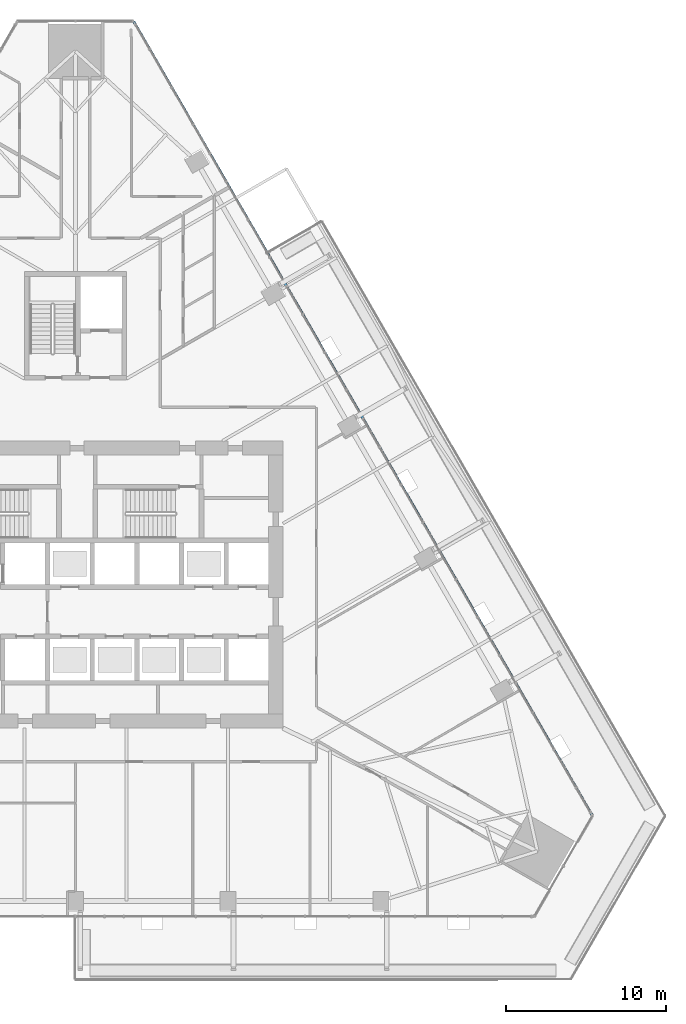
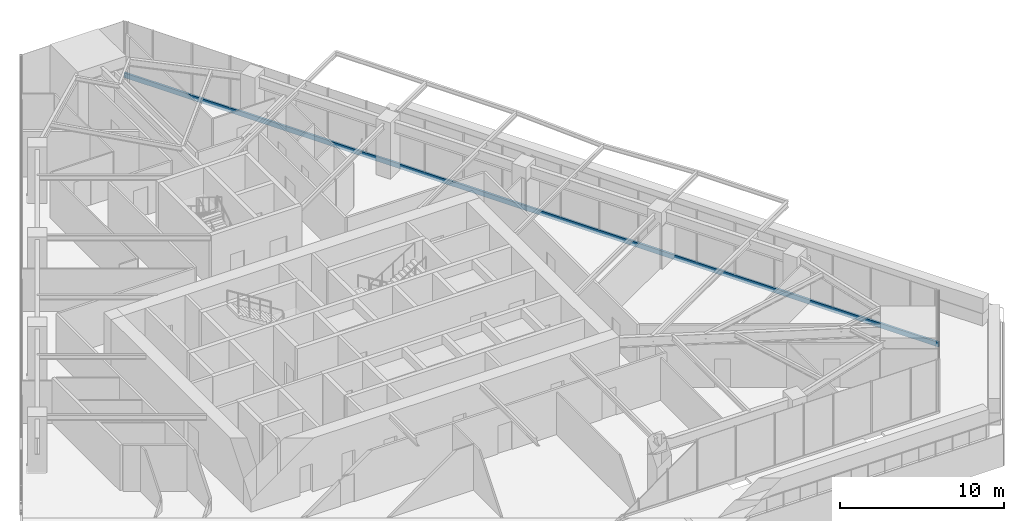
# One storey, part 10 of 29: 1 member, 1 element without a shape of its own.
"""IFC4 building model written with IfcOpenShell, lengths in metres."""

import ifcopenshell
import ifcopenshell.guid

model = None  # the IFC model being written
_history = None  # IfcOwnerHistory: only IFC2X3 demands one
_inside = {}  # id of a spatial element -> (the spatial element, [elements in it])
_under = {}  # id of a project, library or spatial element -> (it, [spatial elements below it])
_declared = {}  # id of a project -> (the project, [libraries it declares])
_typed = {}  # id of a type object -> (the type object, [elements of that type])
_made_of = {}  # id of a material, layer set ... -> (it, [elements and type objects made of it])


def new_model(schema):
    """Start an empty IFC model of exactly this schema.

    Asked for "IFC4X3", IfcOpenShell would pick the latest addendum, in which some entities
    have other attributes; the version numbers below select the first issue.
    IFC2X3 requires an IfcOwnerHistory on every rooted entity: one is made here for all.
    """
    global model, _history
    if schema == "IFC4X3":
        model = ifcopenshell.file(schema_version=(4, 3, 0, 0))
    else:
        model = ifcopenshell.file(schema=schema)
    _inside.clear()
    _under.clear()
    _declared.clear()
    _typed.clear()
    _made_of.clear()
    _history = None
    if model.schema == "IFC2X3":
        org = make("IfcOrganization", Name="unknown")
        user = make(
            "IfcPersonAndOrganization",
            ThePerson=make("IfcPerson", FamilyName="unknown"),
            TheOrganization=org,
        )
        app = make(
            "IfcApplication",
            ApplicationDeveloper=org,
            Version="unknown",
            ApplicationFullName="unknown",
            ApplicationIdentifier="unknown",
        )
        _history = make(
            "IfcOwnerHistory",
            OwningUser=user,
            OwningApplication=app,
            ChangeAction="ADDED",
            CreationDate=0,
        )
    return model


def make(cls, **values):
    """One entity of the class cls with the attributes given. An attribute that is None is left unset."""
    return model.create_entity(
        cls, **{name: value for name, value in values.items() if value is not None}
    )


def rooted(cls, **values):
    """An entity with a GlobalId (a new one), such as an element, a storey or a relation."""
    return make(cls, GlobalId=ifcopenshell.guid.new(), OwnerHistory=_history, **values)


def si_unit(unit_type, name, prefix=None):
    """IfcSIUnit, for example si_unit("LENGTHUNIT", "METRE", prefix="MILLI")."""
    return make("IfcSIUnit", UnitType=unit_type, Prefix=prefix, Name=name)


def assignment(units):
    """IfcUnitAssignment: the units of a project."""
    return None if units is None else make("IfcUnitAssignment", Units=units)


def point(xyz):
    """IfcCartesianPoint."""
    return None if xyz is None else make("IfcCartesianPoint", Coordinates=xyz)


def direction(xyz):
    """IfcDirection."""
    return None if xyz is None else make("IfcDirection", DirectionRatios=xyz)


def frame(location, z_axis=None, x_axis=None):
    """IfcAxis2Placement3D, a coordinate frame: its origin and axes. An axis left out is left unset."""
    return make(
        "IfcAxis2Placement3D",
        Location=point(location),
        Axis=direction(z_axis),
        RefDirection=direction(x_axis),
    )


def frame_2d(location, x_axis=None):
    """IfcAxis2Placement2D, a coordinate frame in the plane: its origin and x axis."""
    return make(
        "IfcAxis2Placement2D", Location=point(location), RefDirection=direction(x_axis)
    )


def origin():
    """The frame at (0, 0, 0) with its axes left unset."""
    return frame((0.0, 0.0, 0.0))


def origin_2d():
    """The frame at (0, 0) in the plane with its x axis left unset."""
    return frame_2d((0.0, 0.0))


def place(relative_to, where):
    """IfcLocalPlacement: puts the frame where relative to a parent placement (None: the world)."""
    return make(
        "IfcLocalPlacement", PlacementRelTo=relative_to, RelativePlacement=where
    )


def context(
    kind, dimensions, precision=None, world=None, true_north=None, identifier=None
):
    """IfcGeometricRepresentationContext, for example the 3D "Model" context."""
    return make(
        "IfcGeometricRepresentationContext",
        ContextIdentifier=identifier,
        ContextType=kind,
        CoordinateSpaceDimension=dimensions,
        Precision=precision,
        WorldCoordinateSystem=world,
        TrueNorth=true_north,
    )


def subcontext(parent, identifier, kind, view, scale=None):
    """IfcGeometricRepresentationSubContext, for example "Body" below "Model"."""
    return make(
        "IfcGeometricRepresentationSubContext",
        ContextIdentifier=identifier,
        ContextType=kind,
        ParentContext=parent,
        TargetScale=scale,
        TargetView=view,
    )


def project(units=None, contexts=None):
    """IfcProject with its units and contexts."""
    return rooted(
        "IfcProject",
        Name="project",
        RepresentationContexts=contexts,
        UnitsInContext=assignment(units),
    )


def spatial(cls, under=None, at=None, **own):
    """A site, building, storey or space (cls), placed at a placement, below another one or the project."""
    s = rooted(cls, ObjectPlacement=at, **own)
    if under is not None:
        _under.setdefault(under.id(), (under, []))[1].append(s)
    return s


def profile(cls, at=None, kind="AREA", **sizes):
    """A parametric profile (cls). Its sizes go by their IFC names, for example OverallWidth=200.0."""
    return make(cls, ProfileType=kind, Position=at, **sizes)


def rectangle(**sizes):
    """IfcRectangleProfileDef."""
    return profile("IfcRectangleProfileDef", **sizes)


def extrude(swept, where, along, depth):
    """IfcExtrudedAreaSolid: the profile swept, set in the frame where, extruded along a direction by depth."""
    return make(
        "IfcExtrudedAreaSolid",
        SweptArea=swept,
        Position=where,
        ExtrudedDirection=direction(along),
        Depth=depth,
    )


def shape(context_of_items, identifier, shape_type, items):
    """IfcShapeRepresentation: the items that make up one representation, for example the "Body"."""
    return make(
        "IfcShapeRepresentation",
        ContextOfItems=context_of_items,
        RepresentationIdentifier=identifier,
        RepresentationType=shape_type,
        Items=items,
    )


def material(Name=None, Category=None):
    """IfcMaterial."""
    return make("IfcMaterial", Name=Name, Category=Category)


def layer(
    of_material, thickness, ventilated=None, Name=None, Category=None, Priority=None
):
    """IfcMaterialLayer: one layer of a wall or slab, of a material (None: an air gap)."""
    return make(
        "IfcMaterialLayer",
        Material=of_material,
        LayerThickness=thickness,
        IsVentilated=ventilated,
        Name=Name,
        Category=Category,
        Priority=Priority,
    )


def layer_set(layers, Name=None):
    """IfcMaterialLayerSet."""
    return make("IfcMaterialLayerSet", MaterialLayers=layers, LayerSetName=Name)


def material_profile(
    of_material, cross_section, Name=None, Category=None, Priority=None
):
    """IfcMaterialProfile: a cross section and its material."""
    return make(
        "IfcMaterialProfile",
        Name=Name,
        Material=of_material,
        Profile=cross_section,
        Priority=Priority,
        Category=Category,
    )


def profile_set(profiles, Name=None, composite=None):
    """IfcMaterialProfileSet."""
    return make(
        "IfcMaterialProfileSet",
        Name=Name,
        MaterialProfiles=profiles,
        CompositeProfile=composite,
    )


def made_of(thing, what):
    """Note that an element or type object is made of a material, layer set ...; save() writes the relation."""
    if what is not None:
        _made_of.setdefault(what.id(), (what, []))[1].append(thing)
    return thing


def type_object(cls, material=None, **own):
    """A type object (cls), such as IfcWallType, which elements share."""
    return made_of(rooted(cls, **own), material)


def element(
    cls,
    number,
    at=None,
    inside=None,
    cuts=None,
    type_object=None,
    material=None,
    context=None,
    identifier="Body",
    shape_type=None,
    held_by="IfcProductDefinitionShape",
    body=None,
    shapes=None,
    **own,
):
    """One element of the class cls, such as IfcWall. Its Tag is "e" and its number.

    at: its placement. inside: the storey or other place that contains it. cuts: it is an
    opening in that element (IfcRelVoidsElement). A single representation is given by context,
    identifier, shape_type and body (its items); several are given by shapes. held_by: the class
    of the entity that holds the representations. save() writes the other relations.
    """
    e = rooted(cls, Tag="e%d" % number, ObjectPlacement=at, **own)
    if body is not None:
        shapes = [shape(context, identifier, shape_type, body)]
    if shapes is not None:
        e.Representation = make(held_by, Representations=shapes)
    if inside is not None:
        _inside.setdefault(inside.id(), (inside, []))[1].append(e)
    if cuts is not None:
        rooted(
            "IfcRelVoidsElement", RelatingBuildingElement=cuts, RelatedOpeningElement=e
        )
    if type_object is not None:
        _typed.setdefault(type_object.id(), (type_object, []))[1].append(e)
    return made_of(e, material)


def aggregate(whole, parts):
    """IfcRelAggregates: a whole, such as a stair, and the parts it consists of."""
    return rooted("IfcRelAggregates", RelatingObject=whole, RelatedObjects=parts)


def save(model, path):
    """Write the relations noted so far, then the file.

    IfcRelAggregates (storeys below a building ...), IfcRelContainedInSpatialStructure (elements
    in a storey), IfcRelDefinesByType, IfcRelAssociatesMaterial and IfcRelDeclares: one each for
    every whole, place, type object, material and project.
    """
    for whole, parts in _under.values():
        aggregate(whole, parts)
    for where, things in _inside.values():
        rooted(
            "IfcRelContainedInSpatialStructure",
            RelatedElements=things,
            RelatingStructure=where,
        )
    for kind, things in _typed.values():
        rooted("IfcRelDefinesByType", RelatedObjects=things, RelatingType=kind)
    for what, things in _made_of.values():
        rooted("IfcRelAssociatesMaterial", RelatedObjects=things, RelatingMaterial=what)
    for by, libraries in _declared.values():
        rooted("IfcRelDeclares", RelatingContext=by, RelatedDefinitions=libraries)
    model.write(path)


model = new_model("IFC4")

# Units and contexts
model_context = context("Model", 3, precision=1e-05, world=origin(), true_north=direction((0.0, 1.0)))
body_context = subcontext(model_context, "Body", "Model", "MODEL_VIEW")
ifc_project = project(units=[si_unit("LENGTHUNIT", "METRE"), si_unit("AREAUNIT", "SQUARE_METRE"), si_unit("VOLUMEUNIT", "CUBIC_METRE"), si_unit("PLANEANGLEUNIT", "RADIAN"), si_unit("MASSUNIT", "GRAM", prefix="KILO")], contexts=[model_context])

# Site, building, storey
site_placement = place(None, origin())
site = spatial("IfcSite", under=ifc_project, at=site_placement, CompositionType="ELEMENT")
building_placement = place(site_placement, origin())
building = spatial("IfcBuilding", under=site, at=building_placement, Name="Firuza Gate Tower and Library", CompositionType="ELEMENT")
storey_placement = place(building_placement, frame((0.0, 0.0, 48.39990234375)))
storey = spatial("IfcBuildingStorey", under=building, at=storey_placement, Name="L10", CompositionType="ELEMENT", Elevation=48.39990234375)

# Curtain wall, member
ifc_material_1 = material(Name="Aluminium 6063-T6", Category="aluminium")
ifc_layer = layer(ifc_material_1, 0.14990234375)
ifc_layer_set = layer_set([ifc_layer], Name="Unitised curtain wall, offices")
curtain_wall_type = type_object("IfcCurtainWallType", Name="Unitised curtain wall, offices", PredefinedType="NOTDEFINED", material=ifc_layer_set)
curtain_wall_placement = place(storey_placement, origin())
curtain_wall = element("IfcCurtainWall", 1, at=curtain_wall_placement, inside=storey, type_object=curtain_wall_type, Name="CW1 L10 E face", PredefinedType="NOTDEFINED")
ifc_material_2 = material(Name="Aluminium 6063-T6", Category="aluminium")
ifc_material_profile = material_profile(ifc_material_2, rectangle(XDim=0.14990234375, YDim=0.35009765625, at=origin_2d()))
ifc_profile_set = profile_set([ifc_material_profile], Name="Aluminium 6063-T6")
member_type = type_object("IfcMemberType", Name="Curtain wall transom 350x150", PredefinedType="USERDEFINED", material=ifc_profile_set)
member_placement = place(storey_placement, frame((107.38818359375, 60.507568359375, -0.02490234375), z_axis=(-0.499998032478, 0.866026539731, 0.0), x_axis=(-0.866026539731, -0.499998032478, 0.0)))
member = element("IfcMember", 2, at=member_placement, type_object=member_type, Name="Transom", ObjectType="TRANSOM", PredefinedType="USERDEFINED", context=body_context, shape_type="SweptSolid", body=[
    extrude(rectangle(XDim=0.14990234375, YDim=0.35009765625, at=origin_2d()), origin(), (0.0, 0.0, 1.0), 57.489990234375),
])
aggregate(curtain_wall, [member])

save(model, "model.ifc")
